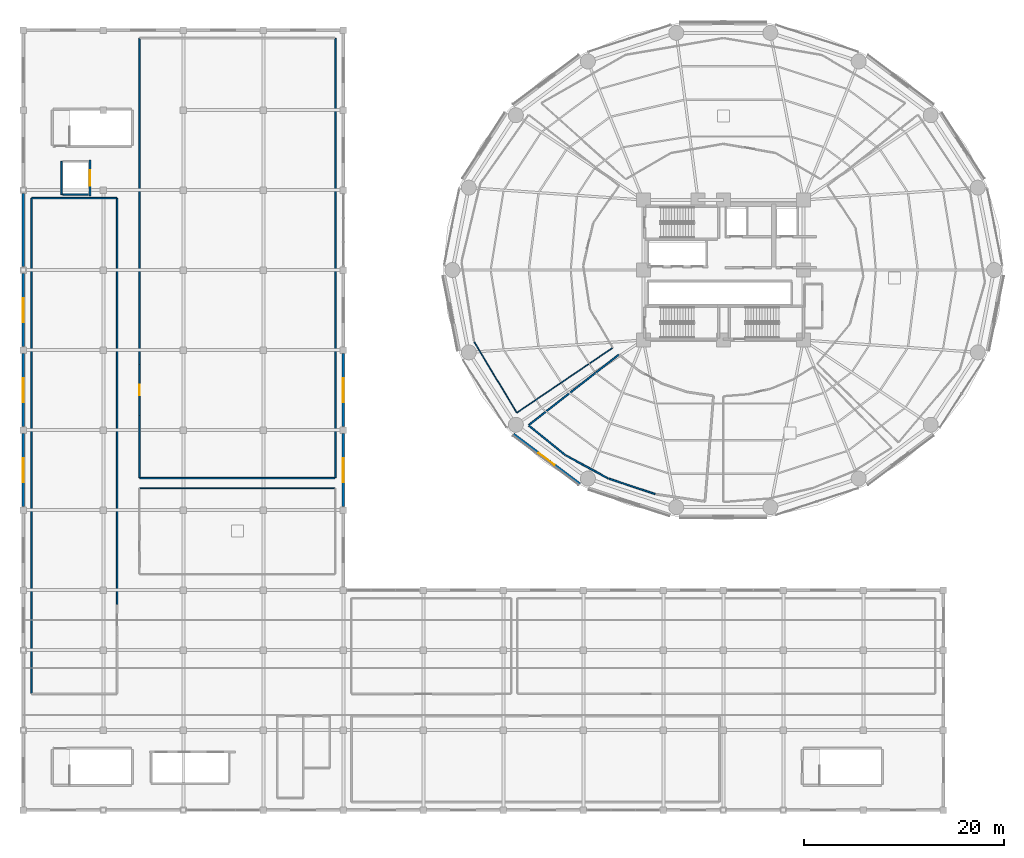
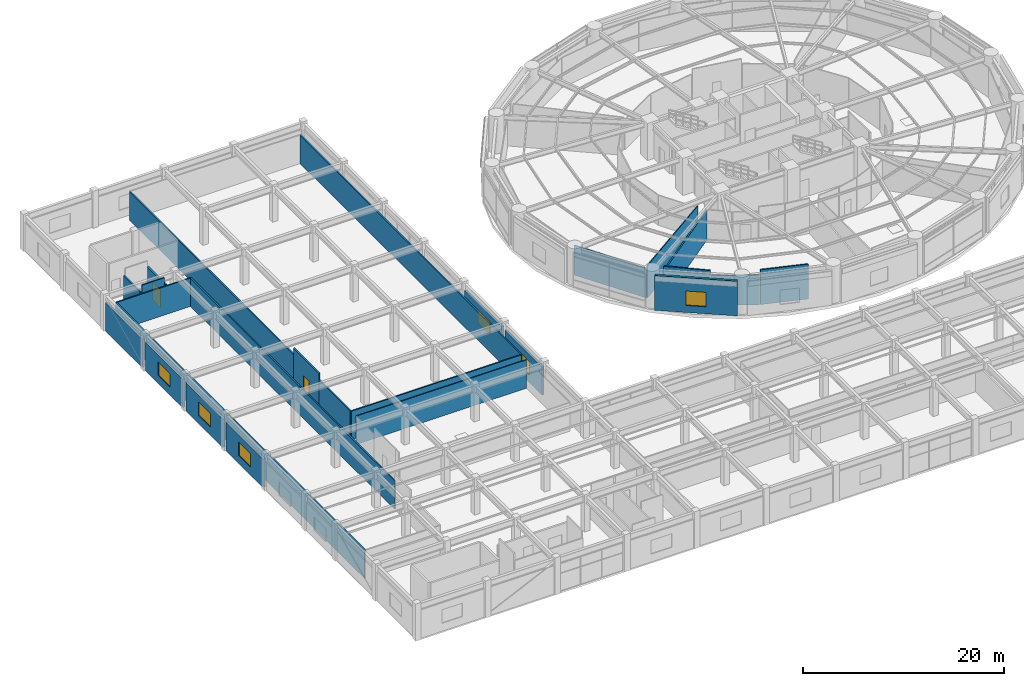
# One storey, part 36 of 46: 25 walls, 6 windows, 2 doors, 8 openings.
"""IFC4 building model written with IfcOpenShell, lengths in metres."""

from ifc_helpers import new_model, si_unit, direction, frame, frame_2d, origin, place, context, subcontext, project, spatial, rectangle, extrude, material, layer, layer_set, type_object, element, fill, save


model = new_model("IFC4")

# Units and contexts
model_context = context("Model", 3, precision=1e-05, world=origin(), true_north=direction((0.0, 1.0)))
body_context = subcontext(model_context, "Body", "Model", "MODEL_VIEW")
ifc_project = project(units=[si_unit("LENGTHUNIT", "METRE"), si_unit("AREAUNIT", "SQUARE_METRE"), si_unit("VOLUMEUNIT", "CUBIC_METRE"), si_unit("PLANEANGLEUNIT", "RADIAN"), si_unit("MASSUNIT", "GRAM", prefix="KILO")], contexts=[model_context])

# Site, building, storey
site_placement = place(None, origin())
site = spatial("IfcSite", under=ifc_project, at=site_placement, CompositionType="ELEMENT")
building_placement = place(site_placement, origin())
building = spatial("IfcBuilding", under=site, at=building_placement, Name="Kelanora Arch Commons", CompositionType="ELEMENT")
storey_placement = place(building_placement, frame((0.0, 0.0, 18.0)))
storey = spatial("IfcBuildingStorey", under=building, at=storey_placement, Name="L04", CompositionType="ELEMENT", Elevation=18.0)

# Walls
ifc_material_1 = material(Name="Autoclaved aerated concrete blockwork with fire plaster", Category="masonry")
ifc_layer_1 = layer(ifc_material_1, 0.14990234375)
ifc_layer_set_1 = layer_set([ifc_layer_1], Name="Autoclaved aerated concrete blockwork with fire plaster")
wall_type_1 = type_object("IfcWallType", Name="W-COMP-150", PredefinedType="PARTITIONING", material=ifc_layer_set_1)
wall_1_placement = place(storey_placement, frame((7.840087890625, 65.5400390625, 0.0), z_axis=(0.0, 0.0, 1.0), x_axis=(0.0, 1.0, 0.0)))
element("IfcWall", 1, at=wall_1_placement, inside=storey, type_object=wall_type_1, Name="Market West Lift Shaft Back Wall L04", PredefinedType="PARTITIONING", context=body_context, shape_type="SweptSolid", body=[
    extrude(rectangle(XDim=3.320068359375, YDim=0.14990234375, at=frame_2d((1.66015625, 0.0))), origin(), (0.0, 0.0, 1.0), 3.445068359375),
])
wall_2_placement = place(storey_placement, frame((7.9599609375, 65.5400390625, 0.0), z_axis=(0.0, 0.0, 1.0), x_axis=(1.0, 0.0, 0.0)))
element("IfcWall", 2, at=wall_2_placement, inside=storey, type_object=wall_type_1, Name="Market West Lift Shaft South Wall L04", PredefinedType="PARTITIONING", context=body_context, shape_type="SweptSolid", body=[
    extrude(rectangle(XDim=2.56005859375, YDim=0.14990234375, at=frame_2d((1.280029296875, 0.0))), origin(), (0.0, 0.0, 1.0), 4.25),
])

# Wall, opening, door
wall_3_placement = place(storey_placement, frame((15.6201171875, 43.4599609375, 0.0), z_axis=(0.0, 0.0, 1.0), x_axis=(0.0, 1.0, 0.0)))
wall_3 = element("IfcWall", 3, at=wall_3_placement, inside=storey, type_object=wall_type_1, Name="Market Conservatory Cold Room and Plant Store L04 Entry Partition", PredefinedType="PARTITIONING", context=body_context, shape_type="SweptSolid", body=[
    extrude(rectangle(XDim=5.080078125, YDim=0.14990234375, at=frame_2d((2.5400390625, 0.0))), origin(), (0.0, 0.0, 1.0), 4.22998046875),
])
opening_1_placement = place(wall_3_placement, frame((2.0, 0.0, 0.0)))
opening_1 = element("IfcOpeningElement", 4, at=opening_1_placement, cuts=wall_3, Name="Opening D-PLT1", PredefinedType="OPENING", context=body_context, shape_type="SweptSolid", body=[
    extrude(rectangle(XDim=1.080078125, YDim=2.10009765625, at=frame_2d((0.5400390625, 1.050048828125))), frame((0.0, 0.0849609375, 0.0), z_axis=(0.0, -1.0, 0.0), x_axis=(1.0, 0.0, 0.0)), (0.0, 0.0, 1.0), 0.169921875),
])
ifc_material_2 = material(Name="Galvanised steel plant and riser fire door", Category="steel")
door_type_1 = type_object("IfcDoorType", Name="D-PLT-110", OperationType="NOTDEFINED", PredefinedType="DOOR", material=ifc_material_2)
door_1_placement = place(opening_1_placement, origin())
door_1 = element("IfcDoor", 5, at=door_1_placement, inside=storey, type_object=door_type_1, Name="Market Conservatory Cold Room and Plant Store L04 Door", OperationType="SINGLE_SWING_LEFT", OverallHeight=2.10009765625, OverallWidth=1.080078125, PredefinedType="DOOR", context=body_context, shape_type="SweptSolid", body=[
    extrude(rectangle(XDim=1.080078125, YDim=2.10009765625, at=frame_2d((0.5400390625, 1.050048828125))), frame((0.0, 0.02490234375, 0.0), z_axis=(0.0, -1.0, 0.0), x_axis=(1.0, 0.0, 0.0)), (0.0, 0.0, 1.0), 0.050048828125),
])
fill(opening_1, door_1)

# Walls
wall_4_placement = place(storey_placement, frame((15.659912109375, 37.199951171875, 0.0), z_axis=(0.0, 0.0, 1.0), x_axis=(1.0, 0.0, 0.0)))
element("IfcWall", 6, at=wall_4_placement, inside=storey, type_object=wall_type_1, Name="Market Conservatory Cold Room and Plant Store L04 Enclosure Partition 1", PredefinedType="PARTITIONING", context=body_context, shape_type="SweptSolid", body=[
    extrude(rectangle(XDim=19.5, YDim=0.14990234375, at=frame_2d((9.75, 0.0))), origin(), (0.0, 0.0, 1.0), 3.445068359375),
])
wall_5_placement = place(storey_placement, frame((35.199951171875, 37.239990234375, 0.0), z_axis=(0.0, 0.0, 1.0), x_axis=(0.0, 1.0, 0.0)))
element("IfcWall", 7, at=wall_5_placement, inside=storey, type_object=wall_type_1, Name="Market Conservatory Cold Room and Plant Store L04 Enclosure Partition 2", PredefinedType="PARTITIONING", context=body_context, shape_type="SweptSolid", body=[
    extrude(rectangle(XDim=43.919921875, YDim=0.14990234375, at=frame_2d((21.9599609375, 0.0))), origin(), (0.0, 0.0, 1.0), 3.445068359375),
])
wall_6_placement = place(storey_placement, frame((15.6201171875, 81.159912109375, 0.0), z_axis=(0.0, 0.0, 1.0), x_axis=(0.0, -1.0, 0.0)))
element("IfcWall", 8, at=wall_6_placement, inside=storey, type_object=wall_type_1, Name="Market Conservatory Cold Room and Plant Store L04 Enclosure Partition 4", PredefinedType="PARTITIONING", context=body_context, shape_type="SweptSolid", body=[
    extrude(rectangle(XDim=32.619873046875, YDim=0.14990234375, at=frame_2d((16.31005859375, 0.0))), origin(), (0.0, 0.0, 1.0), 3.445068359375),
])
wall_7_placement = place(storey_placement, frame((15.6201171875, 43.4599609375, 0.0), z_axis=(0.0, 0.0, 1.0), x_axis=(0.0, -1.0, 0.0)))
element("IfcWall", 9, at=wall_7_placement, inside=storey, type_object=wall_type_1, Name="Market Conservatory Cold Room and Plant Store L04 Enclosure Partition 4", PredefinedType="PARTITIONING", context=body_context, shape_type="SweptSolid", body=[
    extrude(rectangle(XDim=6.219970703125, YDim=0.14990234375, at=frame_2d((3.10986328125, 0.0))), origin(), (0.0, 0.0, 1.0), 3.445068359375),
])
wall_8_placement = place(storey_placement, frame((13.3798828125, 24.5400390625, 0.0), z_axis=(0.0, 0.0, 1.0), x_axis=(0.0, 1.0, 0.0)))
element("IfcWall", 10, at=wall_8_placement, inside=storey, type_object=wall_type_1, Name="Market West Mechanical Plant and Store L04 Enclosure Partition 2", PredefinedType="PARTITIONING", context=body_context, shape_type="SweptSolid", body=[
    extrude(rectangle(XDim=40.619873046875, YDim=0.14990234375, at=frame_2d((20.31005859375, 0.0))), origin(), (0.0, 0.0, 1.0), 3.445068359375),
])
wall_9_placement = place(storey_placement, frame((13.340087890625, 65.199951171875, 0.0), z_axis=(0.0, 0.0, 1.0), x_axis=(-1.0, 0.0, 0.0)))
element("IfcWall", 11, at=wall_9_placement, inside=storey, type_object=wall_type_1, Name="Market West Mechanical Plant and Store L04 Enclosure Partition 3", PredefinedType="PARTITIONING", context=body_context, shape_type="SweptSolid", body=[
    extrude(rectangle(XDim=8.5, YDim=0.14990234375, at=frame_2d((4.25, 0.0))), origin(), (0.0, 0.0, 1.0), 3.445068359375),
])
wall_10_placement = place(storey_placement, frame((4.800048828125, 65.159912109375, 0.0), z_axis=(0.0, 0.0, 1.0), x_axis=(0.0, -1.0, 0.0)))
element("IfcWall", 12, at=wall_10_placement, inside=storey, type_object=wall_type_1, Name="Market West Mechanical Plant and Store L04 Enclosure Partition 4", PredefinedType="PARTITIONING", context=body_context, shape_type="SweptSolid", body=[
    extrude(rectangle(XDim=49.5, YDim=0.14990234375, at=frame_2d((24.75, 0.0))), origin(), (0.0, 0.0, 1.0), 3.445068359375),
])
wall_11_placement = place(storey_placement, frame((67.180908203125, 35.603515625, 0.0), z_axis=(0.0, 0.0, 1.0), x_axis=(-0.949337318798, 0.314258898262, 0.0)))
element("IfcWall", 13, at=wall_11_placement, inside=storey, type_object=wall_type_1, Name="Podium Student Trunk and Linen Store L04 Enclosure Partition 7", PredefinedType="PARTITIONING", context=body_context, shape_type="SweptSolid", body=[
    extrude(rectangle(XDim=4.875, YDim=0.14990234375, at=frame_2d((2.4375, 0.0))), origin(), (0.0, 0.0, 1.0), 4.22998046875),
])
wall_12_placement = place(storey_placement, frame((62.479736328125, 37.1669921875, 0.0), z_axis=(0.0, 0.0, 1.0), x_axis=(-0.878938849886, 0.476934479947, 0.0)))
element("IfcWall", 14, at=wall_12_placement, inside=storey, type_object=wall_type_1, Name="Podium Student Trunk and Linen Store L04 Enclosure Partition 8", PredefinedType="PARTITIONING", context=body_context, shape_type="SweptSolid", body=[
    extrude(rectangle(XDim=4.79296875, YDim=0.14990234375, at=frame_2d((2.396484375, 0.0))), origin(), (0.0, 0.0, 1.0), 3.625),
])
wall_13_placement = place(storey_placement, frame((58.200927734375, 39.497314453125, 0.0), z_axis=(0.0, 0.0, 1.0), x_axis=(-0.77653602146, 0.630072858783, 0.0)))
element("IfcWall", 15, at=wall_13_placement, inside=storey, type_object=wall_type_1, Name="Podium Student Trunk and Linen Store L04 Enclosure Partition 9", PredefinedType="PARTITIONING", context=body_context, shape_type="SweptSolid", body=[
    extrude(rectangle(XDim=4.687255859375, YDim=0.14990234375, at=frame_2d((2.34375, 0.0))), origin(), (0.0, 0.0, 1.0), 4.22998046875),
])
wall_14_placement = place(storey_placement, frame((54.5615234375, 42.50048828125, 0.0), z_axis=(0.0, 0.0, 1.0), x_axis=(0.787637262368, 0.616139223657, 0.0)))
element("IfcWall", 16, at=wall_14_placement, inside=storey, type_object=wall_type_1, Name="Podium Student Trunk and Linen Store L04 Enclosure Partition 10", PredefinedType="PARTITIONING", context=body_context, shape_type="SweptSolid", body=[
    extrude(rectangle(XDim=11.411376953125, YDim=0.14990234375, at=frame_2d((5.70556640625, 0.0))), origin(), (0.0, 0.0, 1.0), 3.625),
])

# Wall, opening, window
ifc_material_3 = material(Name="Precast concrete C40/50 with terracotta ceramic cladding", Category="masonry")
ifc_layer_2 = layer(ifc_material_3, 0.25)
ifc_layer_set_2 = layer_set([ifc_layer_2], Name="Precast concrete C40/50 with terracotta ceramic cladding")
wall_type_2 = type_object("IfcWallType", Name="W-EXT-MKT", PredefinedType="SOLIDWALL", material=ifc_layer_set_2)
wall_15_placement = place(storey_placement, frame((36.0, 34.330078125, 0.0), z_axis=(0.0, 0.0, 1.0), x_axis=(0.0, 1.0, 0.0)))
wall_15 = element("IfcWall", 17, at=wall_15_placement, inside=storey, type_object=wall_type_2, Name="Market Hall Exterior Wall L04-24", PredefinedType="SOLIDWALL", context=body_context, shape_type="SweptSolid", body=[
    extrude(rectangle(XDim=7.33984375, YDim=0.25, at=frame_2d((3.669921875, 0.0))), origin(), (0.0, 0.0, 1.0), 3.43994140625),
])
opening_2_placement = place(wall_15_placement, frame((2.469970703125, 0.0, 0.949951171875)))
opening_2 = element("IfcOpeningElement", 18, at=opening_2_placement, cuts=wall_15, Name="Opening WN-03", PredefinedType="OPENING", context=body_context, shape_type="SweptSolid", body=[
    extrude(rectangle(XDim=2.39990234375, YDim=1.64990234375, at=frame_2d((1.199951171875, 0.824951171875))), frame((0.0, 0.135009765625, 0.0), z_axis=(0.0, -1.0, 0.0), x_axis=(1.0, 0.0, 0.0)), (0.0, 0.0, 1.0), 0.27001953125),
])
ifc_material_4 = material(Name="Bronze-terracotta aluminium monsoon clerestory window", Category="masonry")
window_type_1 = type_object("IfcWindowType", Name="WIN-MKT-24", PartitioningType="TRIPLE_PANEL_VERTICAL", PredefinedType="WINDOW", material=ifc_material_4)
window_1_placement = place(opening_2_placement, origin())
window_1 = element("IfcWindow", 19, at=window_1_placement, inside=storey, type_object=window_type_1, Name="Market Hall Clerestory Window L04-24", OverallHeight=1.64990234375, OverallWidth=2.39990234375, PartitioningType="SINGLE_PANEL", PredefinedType="WINDOW", context=body_context, shape_type="SweptSolid", body=[
    extrude(rectangle(XDim=2.39990234375, YDim=1.64990234375, at=frame_2d((1.199951171875, 0.824951171875))), frame((0.0, 0.030029296875, 0.0), z_axis=(0.0, -1.0, 0.0), x_axis=(1.0, 0.0, 0.0)), (0.0, 0.0, 1.0), 0.06005859375),
])
fill(opening_2, window_1)

wall_16_placement = place(storey_placement, frame((36.0, 42.330078125, 0.0), z_axis=(0.0, 0.0, 1.0), x_axis=(0.0, 1.0, 0.0)))
wall_16 = element("IfcWall", 20, at=wall_16_placement, inside=storey, type_object=wall_type_2, Name="Market Hall Exterior Wall L04-25", PredefinedType="SOLIDWALL", context=body_context, shape_type="SweptSolid", body=[
    extrude(rectangle(XDim=7.33984375, YDim=0.25, at=frame_2d((3.669921875, 0.0))), origin(), (0.0, 0.0, 1.0), 3.43994140625),
])
opening_3_placement = place(wall_16_placement, frame((2.469970703125, 0.0, 0.949951171875)))
opening_3 = element("IfcOpeningElement", 21, at=opening_3_placement, cuts=wall_16, Name="Opening WN-03", PredefinedType="OPENING", context=body_context, shape_type="SweptSolid", body=[
    extrude(rectangle(XDim=2.39990234375, YDim=1.64990234375, at=frame_2d((1.199951171875, 0.824951171875))), frame((0.0, 0.135009765625, 0.0), z_axis=(0.0, -1.0, 0.0), x_axis=(1.0, 0.0, 0.0)), (0.0, 0.0, 1.0), 0.27001953125),
])
window_2_placement = place(opening_3_placement, origin())
window_2 = element("IfcWindow", 22, at=window_2_placement, inside=storey, type_object=window_type_1, Name="Market Hall Clerestory Window L04-25", OverallHeight=1.64990234375, OverallWidth=2.39990234375, PartitioningType="SINGLE_PANEL", PredefinedType="WINDOW", context=body_context, shape_type="SweptSolid", body=[
    extrude(rectangle(XDim=2.39990234375, YDim=1.64990234375, at=frame_2d((1.199951171875, 0.824951171875))), frame((0.0, 0.030029296875, 0.0), z_axis=(0.0, -1.0, 0.0), x_axis=(1.0, 0.0, 0.0)), (0.0, 0.0, 1.0), 0.06005859375),
])
fill(opening_3, window_2)

# Wall
wall_17_placement = place(storey_placement, frame((4.0, 65.669921875, 0.0), z_axis=(0.0, 0.0, 1.0), x_axis=(0.0, -1.0, 0.0)))
element("IfcWall", 23, at=wall_17_placement, inside=storey, type_object=wall_type_2, Name="Market Hall Exterior Wall L04-36", PredefinedType="SOLIDWALL", context=body_context, shape_type="SweptSolid", body=[
    extrude(rectangle(XDim=7.33984375, YDim=0.25, at=frame_2d((3.669921875, 0.0))), origin(), (0.0, 0.0, 1.0), 3.43994140625),
])

# Wall, opening, window
wall_18_placement = place(storey_placement, frame((4.0, 57.669921875, 0.0), z_axis=(0.0, 0.0, 1.0), x_axis=(0.0, -1.0, 0.0)))
wall_18 = element("IfcWall", 24, at=wall_18_placement, inside=storey, type_object=wall_type_2, Name="Market Hall Exterior Wall L04-37", PredefinedType="SOLIDWALL", context=body_context, shape_type="SweptSolid", body=[
    extrude(rectangle(XDim=7.33984375, YDim=0.25, at=frame_2d((3.669921875, 0.0))), origin(), (0.0, 0.0, 1.0), 3.43994140625),
])
opening_4_placement = place(wall_18_placement, frame((2.469970703125, 0.0, 0.949951171875)))
opening_4 = element("IfcOpeningElement", 25, at=opening_4_placement, cuts=wall_18, Name="Opening WN-03", PredefinedType="OPENING", context=body_context, shape_type="SweptSolid", body=[
    extrude(rectangle(XDim=2.39990234375, YDim=1.64990234375, at=frame_2d((1.199951171875, 0.824951171875))), frame((0.0, 0.135009765625, 0.0), z_axis=(0.0, -1.0, 0.0), x_axis=(1.0, 0.0, 0.0)), (0.0, 0.0, 1.0), 0.27001953125),
])
window_3_placement = place(opening_4_placement, origin())
window_3 = element("IfcWindow", 26, at=window_3_placement, inside=storey, type_object=window_type_1, Name="Market Hall Clerestory Window L04-37", OverallHeight=1.64990234375, OverallWidth=2.39990234375, PartitioningType="SINGLE_PANEL", PredefinedType="WINDOW", context=body_context, shape_type="SweptSolid", body=[
    extrude(rectangle(XDim=2.39990234375, YDim=1.64990234375, at=frame_2d((1.199951171875, 0.824951171875))), frame((0.0, 0.030029296875, 0.0), z_axis=(0.0, -1.0, 0.0), x_axis=(1.0, 0.0, 0.0)), (0.0, 0.0, 1.0), 0.06005859375),
])
fill(opening_4, window_3)

wall_19_placement = place(storey_placement, frame((4.0, 49.669921875, 0.0), z_axis=(0.0, 0.0, 1.0), x_axis=(0.0, -1.0, 0.0)))
wall_19 = element("IfcWall", 27, at=wall_19_placement, inside=storey, type_object=wall_type_2, Name="Market Hall Exterior Wall L04-38", PredefinedType="SOLIDWALL", context=body_context, shape_type="SweptSolid", body=[
    extrude(rectangle(XDim=7.33984375, YDim=0.25, at=frame_2d((3.669921875, 0.0))), origin(), (0.0, 0.0, 1.0), 3.43994140625),
])
opening_5_placement = place(wall_19_placement, frame((2.469970703125, 0.0, 0.949951171875)))
opening_5 = element("IfcOpeningElement", 28, at=opening_5_placement, cuts=wall_19, Name="Opening WN-03", PredefinedType="OPENING", context=body_context, shape_type="SweptSolid", body=[
    extrude(rectangle(XDim=2.39990234375, YDim=1.64990234375, at=frame_2d((1.199951171875, 0.824951171875))), frame((0.0, 0.135009765625, 0.0), z_axis=(0.0, -1.0, 0.0), x_axis=(1.0, 0.0, 0.0)), (0.0, 0.0, 1.0), 0.27001953125),
])
window_4_placement = place(opening_5_placement, origin())
window_4 = element("IfcWindow", 29, at=window_4_placement, inside=storey, type_object=window_type_1, Name="Market Hall Clerestory Window L04-38", OverallHeight=1.64990234375, OverallWidth=2.39990234375, PartitioningType="SINGLE_PANEL", PredefinedType="WINDOW", context=body_context, shape_type="SweptSolid", body=[
    extrude(rectangle(XDim=2.39990234375, YDim=1.64990234375, at=frame_2d((1.199951171875, 0.824951171875))), frame((0.0, 0.030029296875, 0.0), z_axis=(0.0, -1.0, 0.0), x_axis=(1.0, 0.0, 0.0)), (0.0, 0.0, 1.0), 0.06005859375),
])
fill(opening_5, window_4)

wall_20_placement = place(storey_placement, frame((4.0, 41.669921875, 0.0), z_axis=(0.0, 0.0, 1.0), x_axis=(0.0, -1.0, 0.0)))
wall_20 = element("IfcWall", 30, at=wall_20_placement, inside=storey, type_object=wall_type_2, Name="Market Hall Exterior Wall L04-39", PredefinedType="SOLIDWALL", context=body_context, shape_type="SweptSolid", body=[
    extrude(rectangle(XDim=7.33984375, YDim=0.25, at=frame_2d((3.669921875, 0.0))), origin(), (0.0, 0.0, 1.0), 3.43994140625),
])
opening_6_placement = place(wall_20_placement, frame((2.469970703125, 0.0, 0.949951171875)))
opening_6 = element("IfcOpeningElement", 31, at=opening_6_placement, cuts=wall_20, Name="Opening WN-03", PredefinedType="OPENING", context=body_context, shape_type="SweptSolid", body=[
    extrude(rectangle(XDim=2.39990234375, YDim=1.64990234375, at=frame_2d((1.199951171875, 0.824951171875))), frame((0.0, 0.135009765625, 0.0), z_axis=(0.0, -1.0, 0.0), x_axis=(1.0, 0.0, 0.0)), (0.0, 0.0, 1.0), 0.27001953125),
])
window_5_placement = place(opening_6_placement, origin())
window_5 = element("IfcWindow", 32, at=window_5_placement, inside=storey, type_object=window_type_1, Name="Market Hall Clerestory Window L04-39", OverallHeight=1.64990234375, OverallWidth=2.39990234375, PartitioningType="SINGLE_PANEL", PredefinedType="WINDOW", context=body_context, shape_type="SweptSolid", body=[
    extrude(rectangle(XDim=2.39990234375, YDim=1.64990234375, at=frame_2d((1.199951171875, 0.824951171875))), frame((0.0, 0.030029296875, 0.0), z_axis=(0.0, -1.0, 0.0), x_axis=(1.0, 0.0, 0.0)), (0.0, 0.0, 1.0), 0.06005859375),
])
fill(opening_6, window_5)

ifc_material_5 = material(Name="Precast concrete C40/50 with terracotta rainscreen", Category="masonry")
ifc_layer_3 = layer(ifc_material_5, 0.260009765625)
ifc_layer_set_3 = layer_set([ifc_layer_3], Name="Precast concrete C40/50 with terracotta rainscreen")
wall_type_3 = type_object("IfcWallType", Name="W-EXT-TC", PredefinedType="SOLIDWALL", material=ifc_layer_set_3)
wall_21_placement = place(storey_placement, frame((53.01611328125, 41.581787109375, 0.0), z_axis=(0.0, 0.0, 1.0), x_axis=(0.80030733173, -0.599590005569, 0.0)))
wall_21 = element("IfcWall", 33, at=wall_21_placement, inside=storey, type_object=wall_type_3, Name="Terracotta Exterior Wall L04-B11", PredefinedType="SOLIDWALL", context=body_context, shape_type="SweptSolid", body=[
    extrude(rectangle(XDim=8.29052734375, YDim=0.260009765625, at=frame_2d((4.145263671875, 0.0))), origin(), (0.0, 0.0, 1.0), 4.22509765625),
])
opening_7_placement = place(wall_21_placement, frame((3.14501953125, 0.0, 0.85009765625)))
opening_7 = element("IfcOpeningElement", 34, at=opening_7_placement, cuts=wall_21, Name="Opening WN-05", PredefinedType="OPENING", context=body_context, shape_type="SweptSolid", body=[
    extrude(rectangle(XDim=2.0, YDim=1.75, at=frame_2d((1.0, 0.875))), frame((0.0, 0.14013671875, 0.0), z_axis=(0.0, -1.0, 0.0), x_axis=(1.0, 0.0, 0.0)), (0.0, 0.0, 1.0), 0.280029296875),
])
ifc_material_6 = material(Name="Terracotta-anodised aluminium podium window", Category="masonry")
window_type_2 = type_object("IfcWindowType", Name="WIN-POD-20", PartitioningType="TRIPLE_PANEL_VERTICAL", PredefinedType="WINDOW", material=ifc_material_6)
window_6_placement = place(opening_7_placement, origin())
window_6 = element("IfcWindow", 35, at=window_6_placement, inside=storey, type_object=window_type_2, Name="Podium Window L04-B11", OverallHeight=1.75, OverallWidth=2.0, PartitioningType="SINGLE_PANEL", PredefinedType="WINDOW", context=body_context, shape_type="SweptSolid", body=[
    extrude(rectangle(XDim=2.0, YDim=1.75, at=frame_2d((1.0, 0.875))), frame((0.0, 0.030029296875, 0.0), z_axis=(0.0, -1.0, 0.0), x_axis=(1.0, 0.0, 0.0)), (0.0, 0.0, 1.0), 0.06005859375),
])
fill(opening_7, window_6)

# Wall, opening, door
ifc_material_7 = material(Name="Concrete C40/50", Category="concrete")
ifc_layer_4 = layer(ifc_material_7, 0.199951171875)
ifc_layer_set_4 = layer_set([ifc_layer_4], Name="Concrete C40/50")
wall_type_4 = type_object("IfcWallType", Name="W-FFL-200", PredefinedType="SOLIDWALL", material=ifc_layer_set_4)
wall_22_placement = place(storey_placement, frame((10.64990234375, 65.39990234375, 0.0), z_axis=(0.0, 0.0, 1.0), x_axis=(0.0, 1.0, 0.0)))
wall_22 = element("IfcWall", 36, at=wall_22_placement, inside=storey, type_object=wall_type_4, Name="Market West Goods Lift Shaft Front L04", PredefinedType="SOLIDWALL", context=body_context, shape_type="SweptSolid", body=[
    extrude(rectangle(XDim=3.60009765625, YDim=0.199951171875, at=frame_2d((1.800048828125, 0.0))), origin(), (0.0, 0.0, 1.0), 3.445068359375),
])
opening_8_placement = place(wall_22_placement, frame((1.02001953125, 0.0, 0.0)))
opening_8 = element("IfcOpeningElement", 37, at=opening_8_placement, cuts=wall_22, Name="Opening LD-GD", PredefinedType="OPENING", context=body_context, shape_type="SweptSolid", body=[
    extrude(rectangle(XDim=1.550048828125, YDim=2.199951171875, at=frame_2d((0.77490234375, 1.10009765625))), frame((0.0, 0.10986328125, 0.0), z_axis=(0.0, -1.0, 0.0), x_axis=(1.0, 0.0, 0.0)), (0.0, 0.0, 1.0), 0.219970703125),
])
ifc_material_8 = material(Name="Heavy-duty goods lift bi-parting sliding landing door")
door_type_2 = type_object("IfcDoorType", Name="D-LIFT-GDS", OperationType="NOTDEFINED", PredefinedType="DOOR", material=ifc_material_8)
door_2_placement = place(opening_8_placement, origin())
door_2 = element("IfcDoor", 38, at=door_2_placement, inside=storey, type_object=door_type_2, Name="Market Goods Lift LF-MG2 Landing Door L04", OperationType="DOUBLE_DOOR_SLIDING", OverallHeight=2.199951171875, OverallWidth=1.550048828125, PredefinedType="DOOR", context=body_context, shape_type="SweptSolid", body=[
    extrude(rectangle(XDim=1.550048828125, YDim=2.199951171875, at=frame_2d((0.77490234375, 1.10009765625))), frame((0.0, 0.02490234375, 0.0), z_axis=(0.0, -1.0, 0.0), x_axis=(1.0, 0.0, 0.0)), (0.0, 0.0, 1.0), 0.050048828125),
])
fill(opening_8, door_2)

# Walls
ifc_material_9 = material(Name="Lightweight fire-rated acoustic stud partition")
ifc_layer_5 = layer(ifc_material_9, 0.10009765625)
ifc_layer_set_5 = layer_set([ifc_layer_5], Name="Lightweight fire-rated acoustic stud partition")
wall_type_5 = type_object("IfcWallType", Name="W-PART-100", PredefinedType="PARTITIONING", material=ifc_layer_set_5)
wall_23_placement = place(storey_placement, frame((35.159912109375, 36.199951171875, 0.0), z_axis=(0.0, 0.0, 1.0), x_axis=(-1.0, 0.0, 0.0)))
element("IfcWall", 39, at=wall_23_placement, inside=storey, type_object=wall_type_5, Name="Market Rooftop Conservatory Cafe Enclosure Partition 3", PredefinedType="PARTITIONING", context=body_context, shape_type="SweptSolid", body=[
    extrude(rectangle(XDim=19.5, YDim=0.10009765625, at=frame_2d((9.75, 0.0))), origin(), (0.0, 0.0, 1.0), 3.445068359375),
])
wall_24_placement = place(storey_placement, frame((62.9189453125, 50.20751953125, 0.0), z_axis=(0.0, 0.0, 1.0), x_axis=(-0.827473664196, -0.561504528086, 0.0)))
element("IfcWall", 40, at=wall_24_placement, inside=storey, type_object=wall_type_5, Name="Student Laundromat and Fitness Studio L04-C Enclosure Partition 5", PredefinedType="PARTITIONING", context=body_context, shape_type="SweptSolid", body=[
    extrude(rectangle(XDim=11.51904296875, YDim=0.10009765625, at=frame_2d((5.759521484375, 0.0))), origin(), (0.0, 0.0, 1.0), 3.925048828125),
])
wall_25_placement = place(storey_placement, frame((53.33349609375, 43.751220703125, 0.0), z_axis=(0.0, 0.0, 1.0), x_axis=(-0.514827739773, 0.857293647684, 0.0)))
element("IfcWall", 41, at=wall_25_placement, inside=storey, type_object=wall_type_5, Name="Student Laundromat and Fitness Studio L04-C Enclosure Partition 6", PredefinedType="PARTITIONING", context=body_context, shape_type="SweptSolid", body=[
    extrude(rectangle(XDim=8.21826171875, YDim=0.10009765625, at=frame_2d((4.109130859375, 0.0))), origin(), (0.0, 0.0, 1.0), 3.625),
])

save(model, "model.ifc")
